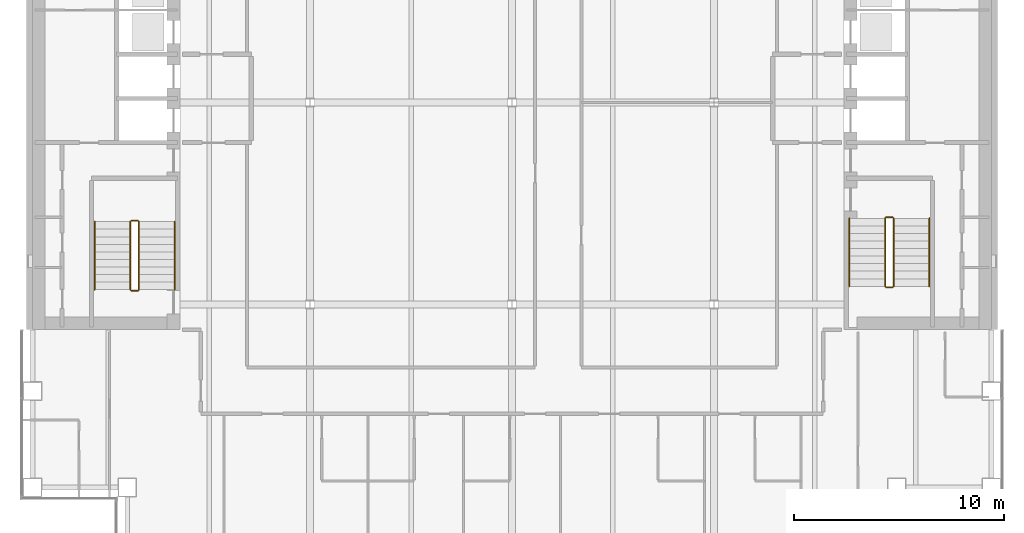
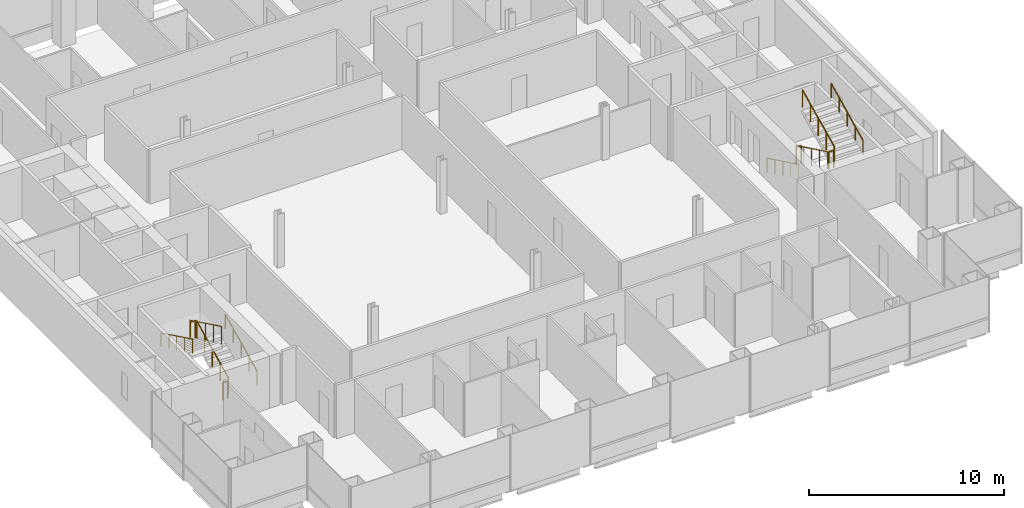
# One storey, part 15 of 16: 12 railings.
"""IFC4 building model written with IfcOpenShell, lengths in metres."""

from ifc_helpers import new_model, si_unit, direction, frame, origin, origin_2d, place, context, subcontext, project, spatial, circle, extrude, material, type_object, element, save


model = new_model("IFC4")

# Units and contexts
model_context = context("Model", 3, precision=1e-05, world=origin(), true_north=direction((0.0, 1.0)))
body_context = subcontext(model_context, "Body", "Model", "MODEL_VIEW")
ifc_project = project(units=[si_unit("LENGTHUNIT", "METRE"), si_unit("AREAUNIT", "SQUARE_METRE"), si_unit("VOLUMEUNIT", "CUBIC_METRE"), si_unit("PLANEANGLEUNIT", "RADIAN"), si_unit("MASSUNIT", "GRAM", prefix="KILO")], contexts=[model_context])

# Site, building, storey
site_placement = place(None, origin())
site = spatial("IfcSite", under=ifc_project, at=site_placement, CompositionType="ELEMENT")
building_placement = place(site_placement, origin())
building = spatial("IfcBuilding", under=site, at=building_placement, Name="Cobrizo Arcos Hotel Tower", CompositionType="ELEMENT")
storey_placement = place(building_placement, frame((0.0, 0.0, 92.5)))
storey = spatial("IfcBuildingStorey", under=building, at=storey_placement, Name="L22", CompositionType="ELEMENT", Elevation=92.5)

# Railings
ifc_material = material(Name="Stainless steel railing", Category="steel")
railing_type_1 = type_object("IfcRailingType", Name="Stair guard 1100", PredefinedType="GUARDRAIL", material=ifc_material)
railing_1_placement = place(storey_placement, frame((-17.75, -8.89990234375, 0.175048828125)))
element("IfcRailing", 1, at=railing_1_placement, inside=storey, type_object=railing_type_1, Name="L22 ST-W stair guard 1", PredefinedType="GUARDRAIL", context=body_context, shape_type="SweptSolid", body=[
    extrude(circle(Radius=0.02392578125, at=origin_2d()), frame((0.0, 0.0, 1.076171875), z_axis=(0.0, 0.899372665325, 0.437182809435), x_axis=(-1.0, 0.0, 0.0)), (0.0, 0.0, 1.0), 3.6025390625),
    extrude(circle(Radius=0.02099609375, at=origin_2d()), origin(), (0.0, 0.0, 1.0), 1.052001953125),
    extrude(circle(Radius=0.02099609375, at=origin_2d()), frame((0.0, 0.81005859375, 0.393798828125)), (0.0, 0.0, 1.0), 1.052001953125),
    extrude(circle(Radius=0.02099609375, at=origin_2d()), frame((0.0, 1.6201171875, 0.78759765625)), (0.0, 0.0, 1.0), 1.052001953125),
    extrude(circle(Radius=0.02099609375, at=origin_2d()), frame((0.0, 2.429931640625, 1.18115234375)), (0.0, 0.0, 1.0), 1.052001953125),
    extrude(circle(Radius=0.02099609375, at=origin_2d()), frame((0.0, 3.239990234375, 1.574951171875)), (0.0, 0.0, 1.0), 1.052001953125),
])
railing_2_placement = place(storey_placement, frame((-17.800048828125, -5.610107421875, 1.75)))
element("IfcRailing", 2, at=railing_2_placement, inside=storey, type_object=railing_type_1, Name="L22 ST-W stair guard 2", PredefinedType="GUARDRAIL", context=body_context, shape_type="SweptSolid", body=[
    extrude(circle(Radius=0.02392578125, at=origin_2d()), frame((0.0, 0.0, 1.076171875), z_axis=(-1.0, 0.0, 0.0), x_axis=(0.0, -1.0, 0.0)), (0.0, 0.0, 1.0), 0.300048828125),
    extrude(circle(Radius=0.02099609375, at=origin_2d()), origin(), (0.0, 0.0, 1.0), 1.052001953125),
    extrude(circle(Radius=0.02099609375, at=origin_2d()), frame((-0.300048828125, 0.0, 0.0)), (0.0, 0.0, 1.0), 1.052001953125),
])
railing_3_placement = place(storey_placement, frame((-18.14990234375, -5.659912109375, 1.925048828125)))
element("IfcRailing", 3, at=railing_3_placement, inside=storey, type_object=railing_type_1, Name="L22 ST-W stair guard 3", PredefinedType="GUARDRAIL", context=body_context, shape_type="SweptSolid", body=[
    extrude(circle(Radius=0.02392578125, at=origin_2d()), frame((0.0, 0.0, 1.076171875), z_axis=(0.0, -0.899372665325, 0.437182809435), x_axis=(1.0, 0.0, 0.0)), (0.0, 0.0, 1.0), 3.6025390625),
    extrude(circle(Radius=0.02099609375, at=origin_2d()), origin(), (0.0, 0.0, 1.0), 1.052001953125),
    extrude(circle(Radius=0.02099609375, at=origin_2d()), frame((0.0, -0.81005859375, 0.393798828125)), (0.0, 0.0, 1.0), 1.052001953125),
    extrude(circle(Radius=0.02099609375, at=origin_2d()), frame((0.0, -1.6201171875, 0.78759765625)), (0.0, 0.0, 1.0), 1.052001953125),
    extrude(circle(Radius=0.02099609375, at=origin_2d()), frame((0.0, -2.429931640625, 1.18115234375)), (0.0, 0.0, 1.0), 1.052001953125),
    extrude(circle(Radius=0.02099609375, at=origin_2d()), frame((0.0, -3.239990234375, 1.574951171875)), (0.0, 0.0, 1.0), 1.052001953125),
])
railing_4_placement = place(storey_placement, frame((-17.800048828125, -8.949951171875, 0.0)))
element("IfcRailing", 4, at=railing_4_placement, inside=storey, type_object=railing_type_1, Name="L22 ST-W stair guard 4", PredefinedType="GUARDRAIL", context=body_context, shape_type="SweptSolid", body=[
    extrude(circle(Radius=0.02392578125, at=origin_2d()), frame((0.0, 0.0, 1.076171875), z_axis=(-1.0, 0.0, 0.0), x_axis=(0.0, -1.0, 0.0)), (0.0, 0.0, 1.0), 0.300048828125),
    extrude(circle(Radius=0.02099609375, at=origin_2d()), origin(), (0.0, 0.0, 1.0), 1.052001953125),
    extrude(circle(Radius=0.02099609375, at=origin_2d()), frame((-0.300048828125, 0.0, 0.0)), (0.0, 0.0, 1.0), 1.052001953125),
])
railing_5_placement = place(storey_placement, frame((17.75, -5.5, 0.175048828125)))
element("IfcRailing", 5, at=railing_5_placement, inside=storey, type_object=railing_type_1, Name="L22 ST-E stair guard 1", PredefinedType="GUARDRAIL", context=body_context, shape_type="SweptSolid", body=[
    extrude(circle(Radius=0.02392578125, at=origin_2d()), frame((0.0, 0.0, 1.076171875), z_axis=(0.0, -0.899372665325, 0.437182809435), x_axis=(1.0, 0.0, 0.0)), (0.0, 0.0, 1.0), 3.6025390625),
    extrude(circle(Radius=0.02099609375, at=origin_2d()), origin(), (0.0, 0.0, 1.0), 1.052001953125),
    extrude(circle(Radius=0.02099609375, at=origin_2d()), frame((0.0, -0.81005859375, 0.393798828125)), (0.0, 0.0, 1.0), 1.052001953125),
    extrude(circle(Radius=0.02099609375, at=origin_2d()), frame((0.0, -1.6201171875, 0.78759765625)), (0.0, 0.0, 1.0), 1.052001953125),
    extrude(circle(Radius=0.02099609375, at=origin_2d()), frame((0.0, -2.429931640625, 1.18115234375)), (0.0, 0.0, 1.0), 1.052001953125),
    extrude(circle(Radius=0.02099609375, at=origin_2d()), frame((0.0, -3.239990234375, 1.574951171875)), (0.0, 0.0, 1.0), 1.052001953125),
])
railing_6_placement = place(storey_placement, frame((17.800048828125, -8.7900390625, 1.75)))
element("IfcRailing", 6, at=railing_6_placement, inside=storey, type_object=railing_type_1, Name="L22 ST-E stair guard 2", PredefinedType="GUARDRAIL", context=body_context, shape_type="SweptSolid", body=[
    extrude(circle(Radius=0.02392578125, at=origin_2d()), frame((0.0, 0.0, 1.076171875), z_axis=(1.0, 0.0, 0.0), x_axis=(0.0, 1.0, 0.0)), (0.0, 0.0, 1.0), 0.300048828125),
    extrude(circle(Radius=0.02099609375, at=origin_2d()), origin(), (0.0, 0.0, 1.0), 1.052001953125),
    extrude(circle(Radius=0.02099609375, at=origin_2d()), frame((0.300048828125, 0.0, 0.0)), (0.0, 0.0, 1.0), 1.052001953125),
])
railing_7_placement = place(storey_placement, frame((18.14990234375, -8.739990234375, 1.925048828125)))
element("IfcRailing", 7, at=railing_7_placement, inside=storey, type_object=railing_type_1, Name="L22 ST-E stair guard 3", PredefinedType="GUARDRAIL", context=body_context, shape_type="SweptSolid", body=[
    extrude(circle(Radius=0.02392578125, at=origin_2d()), frame((0.0, 0.0, 1.076171875), z_axis=(0.0, 0.899372665325, 0.437182809435), x_axis=(-1.0, 0.0, 0.0)), (0.0, 0.0, 1.0), 3.6025390625),
    extrude(circle(Radius=0.02099609375, at=origin_2d()), origin(), (0.0, 0.0, 1.0), 1.052001953125),
    extrude(circle(Radius=0.02099609375, at=origin_2d()), frame((0.0, 0.81005859375, 0.393798828125)), (0.0, 0.0, 1.0), 1.052001953125),
    extrude(circle(Radius=0.02099609375, at=origin_2d()), frame((0.0, 1.6201171875, 0.78759765625)), (0.0, 0.0, 1.0), 1.052001953125),
    extrude(circle(Radius=0.02099609375, at=origin_2d()), frame((0.0, 2.429931640625, 1.18115234375)), (0.0, 0.0, 1.0), 1.052001953125),
    extrude(circle(Radius=0.02099609375, at=origin_2d()), frame((0.0, 3.239990234375, 1.574951171875)), (0.0, 0.0, 1.0), 1.052001953125),
])
railing_8_placement = place(storey_placement, frame((17.800048828125, -5.449951171875, 0.0)))
element("IfcRailing", 8, at=railing_8_placement, inside=storey, type_object=railing_type_1, Name="L22 ST-E stair guard 4", PredefinedType="GUARDRAIL", context=body_context, shape_type="SweptSolid", body=[
    extrude(circle(Radius=0.02392578125, at=origin_2d()), frame((0.0, 0.0, 1.076171875), z_axis=(1.0, 0.0, 0.0), x_axis=(0.0, 1.0, 0.0)), (0.0, 0.0, 1.0), 0.300048828125),
    extrude(circle(Radius=0.02099609375, at=origin_2d()), origin(), (0.0, 0.0, 1.0), 1.052001953125),
    extrude(circle(Radius=0.02099609375, at=origin_2d()), frame((0.300048828125, 0.0, 0.0)), (0.0, 0.0, 1.0), 1.052001953125),
])
railing_type_2 = type_object("IfcRailingType", Name="Stair handrail", PredefinedType="HANDRAIL", material=ifc_material)
railing_9_placement = place(storey_placement, frame((-16.050048828125, -8.89990234375, 0.175048828125)))
element("IfcRailing", 9, at=railing_9_placement, inside=storey, type_object=railing_type_2, Name="L22 ST-W stair handrail 1", PredefinedType="HANDRAIL", context=body_context, shape_type="SweptSolid", body=[
    extrude(circle(Radius=0.02392578125, at=origin_2d()), frame((0.0, 0.0, 0.8759765625), z_axis=(0.0, 0.899372665325, 0.437182809435), x_axis=(-1.0, 0.0, 0.0)), (0.0, 0.0, 1.0), 3.6025390625),
    extrude(circle(Radius=0.02099609375, at=origin_2d()), origin(), (0.0, 0.0, 1.0), 0.851806640625),
    extrude(circle(Radius=0.02099609375, at=origin_2d()), frame((0.0, 0.81005859375, 0.393798828125)), (0.0, 0.0, 1.0), 0.851806640625),
    extrude(circle(Radius=0.02099609375, at=origin_2d()), frame((0.0, 1.6201171875, 0.78759765625)), (0.0, 0.0, 1.0), 0.851806640625),
    extrude(circle(Radius=0.02099609375, at=origin_2d()), frame((0.0, 2.429931640625, 1.18115234375)), (0.0, 0.0, 1.0), 0.851806640625),
    extrude(circle(Radius=0.02099609375, at=origin_2d()), frame((0.0, 3.239990234375, 1.574951171875)), (0.0, 0.0, 1.0), 0.851806640625),
])
for number, where, name in (
    (10, (-19.85009765625, -5.659912109375, 1.925048828125), "L22 ST-W stair handrail 2"),
    (11, (16.050048828125, -5.5, 0.175048828125), "L22 ST-E stair handrail 1"),
):
    element("IfcRailing", number, at=place(storey_placement, frame(where)), inside=storey, type_object=railing_type_2, Name=name, PredefinedType="HANDRAIL", context=body_context, shape_type="SweptSolid", body=[
        extrude(circle(Radius=0.02392578125, at=origin_2d()), frame((0.0, 0.0, 0.8759765625), z_axis=(0.0, -0.899372665325, 0.437182809435), x_axis=(1.0, 0.0, 0.0)), (0.0, 0.0, 1.0), 3.6025390625),
        extrude(circle(Radius=0.02099609375, at=origin_2d()), origin(), (0.0, 0.0, 1.0), 0.851806640625),
        extrude(circle(Radius=0.02099609375, at=origin_2d()), frame((0.0, -0.81005859375, 0.393798828125)), (0.0, 0.0, 1.0), 0.851806640625),
        extrude(circle(Radius=0.02099609375, at=origin_2d()), frame((0.0, -1.6201171875, 0.78759765625)), (0.0, 0.0, 1.0), 0.851806640625),
        extrude(circle(Radius=0.02099609375, at=origin_2d()), frame((0.0, -2.429931640625, 1.18115234375)), (0.0, 0.0, 1.0), 0.851806640625),
        extrude(circle(Radius=0.02099609375, at=origin_2d()), frame((0.0, -3.239990234375, 1.574951171875)), (0.0, 0.0, 1.0), 0.851806640625),
    ])
railing_10_placement = place(storey_placement, frame((19.85009765625, -8.739990234375, 1.925048828125)))
element("IfcRailing", 12, at=railing_10_placement, inside=storey, type_object=railing_type_2, Name="L22 ST-E stair handrail 2", PredefinedType="HANDRAIL", context=body_context, shape_type="SweptSolid", body=[
    extrude(circle(Radius=0.02392578125, at=origin_2d()), frame((0.0, 0.0, 0.8759765625), z_axis=(0.0, 0.899372665325, 0.437182809435), x_axis=(-1.0, 0.0, 0.0)), (0.0, 0.0, 1.0), 3.6025390625),
    extrude(circle(Radius=0.02099609375, at=origin_2d()), origin(), (0.0, 0.0, 1.0), 0.851806640625),
    extrude(circle(Radius=0.02099609375, at=origin_2d()), frame((0.0, 0.81005859375, 0.393798828125)), (0.0, 0.0, 1.0), 0.851806640625),
    extrude(circle(Radius=0.02099609375, at=origin_2d()), frame((0.0, 1.6201171875, 0.78759765625)), (0.0, 0.0, 1.0), 0.851806640625),
    extrude(circle(Radius=0.02099609375, at=origin_2d()), frame((0.0, 2.429931640625, 1.18115234375)), (0.0, 0.0, 1.0), 0.851806640625),
    extrude(circle(Radius=0.02099609375, at=origin_2d()), frame((0.0, 3.239990234375, 1.574951171875)), (0.0, 0.0, 1.0), 0.851806640625),
])

save(model, "model.ifc")
